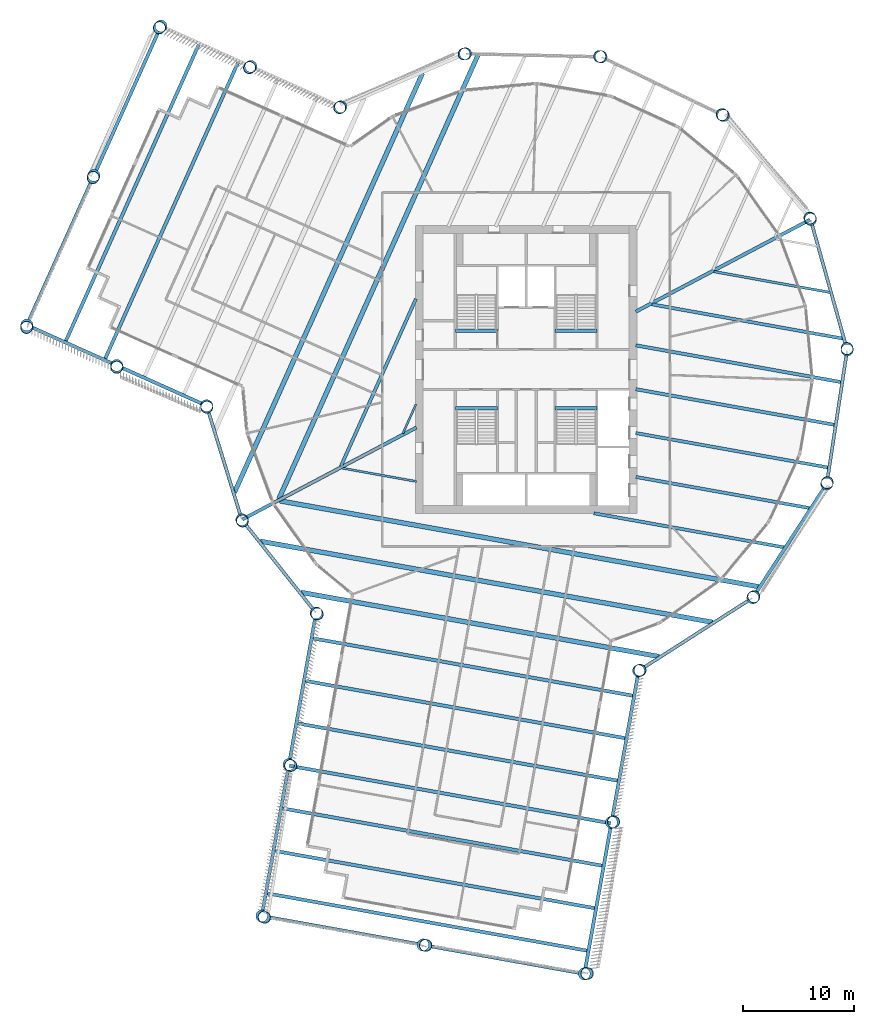
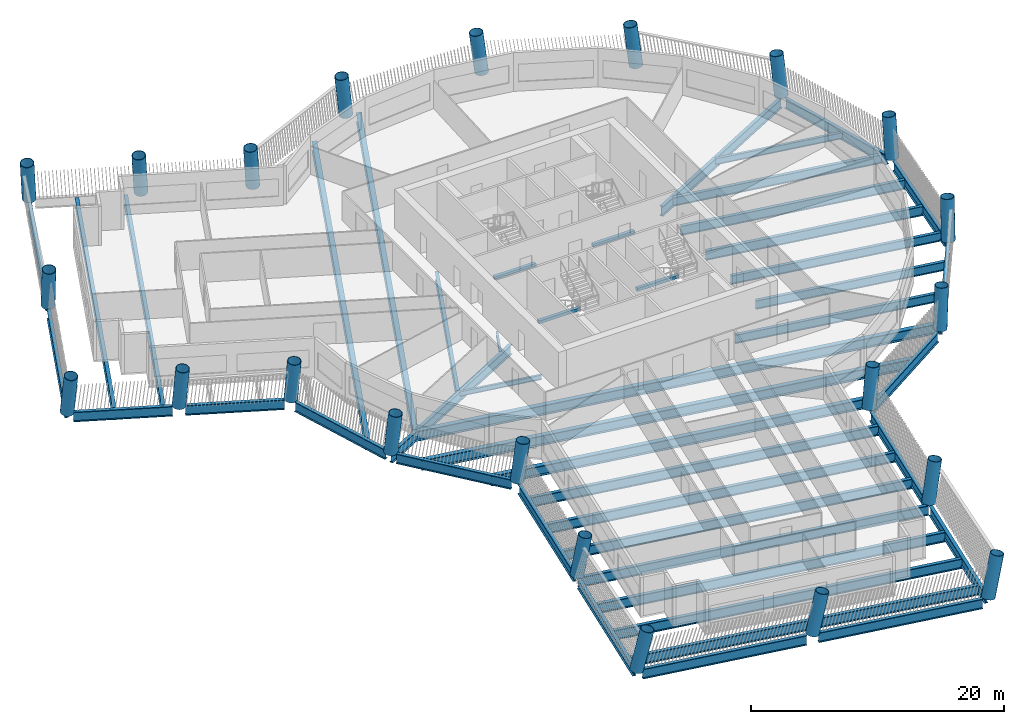
# One storey, part 1 of 14: 46 beams, 22 columns.
"""IFC4 building model written with IfcOpenShell, lengths in metres."""

from ifc_helpers import new_model, si_unit, direction, frame, origin, origin_2d, place, context, subcontext, project, spatial, rectangle, hollow_circle, i_section, extrude, material, material_profile, profile_set, type_object, element, save


model = new_model("IFC4")

# Units and contexts
model_context = context("Model", 3, precision=1e-05, world=origin(), true_north=direction((0.0, 1.0)))
body_context = subcontext(model_context, "Body", "Model", "MODEL_VIEW")
ifc_project = project(units=[si_unit("LENGTHUNIT", "METRE"), si_unit("AREAUNIT", "SQUARE_METRE"), si_unit("VOLUMEUNIT", "CUBIC_METRE"), si_unit("PLANEANGLEUNIT", "RADIAN"), si_unit("MASSUNIT", "GRAM", prefix="KILO")], contexts=[model_context])

# Site, building, storey
site_placement = place(None, origin())
site = spatial("IfcSite", under=ifc_project, at=site_placement, CompositionType="ELEMENT")
building_placement = place(site_placement, origin())
building = spatial("IfcBuilding", under=site, at=building_placement, Name="Tarsis Ring Headquarters", CompositionType="ELEMENT")
storey_placement = place(building_placement, frame((0.0, 0.0, 182.699951171875)))
storey = spatial("IfcBuildingStorey", under=building, at=storey_placement, Name="L42", CompositionType="ELEMENT", Elevation=182.699951171875)

# Columns
ifc_material_1 = material(Name="Structural steel S355", Category="steel")
ifc_material_profile_1 = material_profile(ifc_material_1, hollow_circle(Radius=0.558837890625, WallThickness=0.044921875, at=origin_2d()), Name="CHS 1118x45")
ifc_profile_set_1 = profile_set([ifc_material_profile_1], Name="Structural steel S355")
column_type = type_object("IfcColumnType", Name="XC Exo column CHS 1118x45", PredefinedType="COLUMN", material=ifc_profile_set_1)
for number, where, z_axis, x_axis, name in (
    (1, (-25.686279296875, -13.56591796875, 0.0009765625), (0.055054775262, -0.102333452324, 0.993225471007), (0.880642941898, 0.473780549289, 0.0), "Exo column XC4 F1"),
    (2, (-18.97705078125, -21.992919921875, 0.0009765625), (0.088585275223, -0.075210391675, 0.993225073182), (0.647213213702, 0.762309029207, 0.0), "Exo column XC4 AK"),
):
    element("IfcColumn", number, at=place(storey_placement, frame(where, z_axis=z_axis, x_axis=x_axis)), inside=storey, type_object=column_type, Name=name, PredefinedType="COLUMN", context=body_context, shape_type="SweptSolid", body=[
        extrude(hollow_circle(Radius=0.558837890625, WallThickness=0.044921875, at=origin_2d()), origin(), (0.0, 0.0, 1.0), 3.924560546875),
    ])
column_1_placement = place(storey_placement, frame((-21.42919921875, -35.67724609375, 0.00146484375), z_axis=(0.142408812756, -0.084024288655, 0.986235088083), x_axis=(0.508162720271, 0.861261081047, 0.0)))
element("IfcColumn", 3, at=column_1_placement, inside=storey, type_object=column_type, Name="Exo column XC4 AI1", PredefinedType="COLUMN", context=body_context, shape_type="SweptSolid", body=[
    extrude(hollow_circle(Radius=0.558837890625, WallThickness=0.044921875, at=origin_2d()), origin(), (0.0, 0.0, 1.0), 3.95166015625),
])
column_2_placement = place(storey_placement, frame((-23.88134765625, -49.361572265625, 0.001708984375), z_axis=(0.194853950224, -0.092379737783, 0.976472181954), x_axis=(0.428391204593, 0.903593368628, 0.0)))
element("IfcColumn", 4, at=column_2_placement, inside=storey, type_object=column_type, Name="Exo column XC4 AT1", PredefinedType="COLUMN", context=body_context, shape_type="SweptSolid", body=[
    extrude(hollow_circle(Radius=0.558837890625, WallThickness=0.044921875, at=origin_2d()), origin(), (0.0, 0.0, 1.0), 3.99072265625),
])
column_3_placement = place(storey_placement, frame((-9.3134765625, -51.97216796875, 0.001708984375), z_axis=(0.205049909113, -0.03505336163, 0.978123610088), x_axis=(0.168505908006, 0.985700643688, 0.0)))
element("IfcColumn", 5, at=column_3_placement, inside=storey, type_object=column_type, Name="Exo column XC4 AT2", PredefinedType="COLUMN", context=body_context, shape_type="SweptSolid", body=[
    extrude(hollow_circle(Radius=0.558837890625, WallThickness=0.044921875, at=origin_2d()), origin(), (0.0, 0.0, 1.0), 3.98388671875),
])
column_4_placement = place(storey_placement, frame((5.25439453125, -54.582763671875, 0.001708984375), z_axis=(0.214549985374, 0.022391016438, 0.976456320661), x_axis=(-0.103798966947, 0.994598298038, 0.0)))
element("IfcColumn", 6, at=column_4_placement, inside=storey, type_object=column_type, Name="Exo column XC4 AT3", PredefinedType="COLUMN", context=body_context, shape_type="SweptSolid", body=[
    extrude(hollow_circle(Radius=0.558837890625, WallThickness=0.044921875, at=origin_2d()), origin(), (0.0, 0.0, 1.0), 3.99072265625),
])
column_5_placement = place(storey_placement, frame((7.70654296875, -40.8984375, 0.00146484375), z_axis=(0.162241168836, 0.031879833633, 0.986236016044), x_axis=(-0.192809550064, 0.98123619858, 0.0)))
element("IfcColumn", 7, at=column_5_placement, inside=storey, type_object=column_type, Name="Exo column XC4 AO1", PredefinedType="COLUMN", context=body_context, shape_type="SweptSolid", body=[
    extrude(hollow_circle(Radius=0.558837890625, WallThickness=0.044921875, at=origin_2d()), origin(), (0.0, 0.0, 1.0), 3.95166015625),
])
for number, where, z_axis, x_axis, name in (
    (8, (10.158935546875, -27.214111328125, 0.0009765625), (0.108554191413, 0.041493206689, 0.993224194895), (-0.357041313394, 0.934088593512, 0.0), "Exo column XC4 AJ"),
    (9, (20.47314453125, -20.607421875, 0.0009765625), (0.081804409981, 0.082550914102, 0.993223733651), (-0.71031114304, 0.703887832025, 0.0), "Exo column XC4 R1"),
    (10, (27.147216796875, -10.33642578125, 0.0009765625), (0.040498150522, 0.108865996028, 0.993231138614), (-0.937250343901, 0.348657127931, 0.0), "Exo column XC4 R2"),
    (11, (28.994384765625, 1.772216796875, 0.0009765625), (-0.008024904042, 0.115956752982, 0.99322184448), (-0.997613832138, -0.06904087143, 0.0), "Exo column XC4 R3"),
    (12, (25.686279296875, 13.56591796875, 0.0009765625), (-0.055054775262, 0.102333452324, 0.993225471007), (-0.880642941898, -0.473780549289, 0.0), "Exo column XC4 R4"),
    (13, (17.81103515625, 22.947509765625, 0.0009765625), (-0.092379701458, 0.070544499295, 0.99322175992), (-0.606913603362, -0.794767813927, 0.0), "Exo column XC4 R5"),
    (14, (6.768798828125, 28.248779296875, 0.0009765625), (-0.113219904146, 0.026189878926, 0.993224719561), (-0.225367724869, -0.974273774967, 0.0), "Exo column XC4 R6"),
    (15, (-5.476806640625, 28.527587890625, 0.0009765625), (-0.113966128507, -0.022830550853, 0.993222274972), (0.196424904871, -0.980518871183, 0.0), "Exo column XC4 R7"),
    (16, (-16.748779296875, 23.73388671875, 0.0009765625), (-0.094432754742, -0.067745237097, 0.993223558763), (0.582907875452, -0.81253825063, 0.0), "Exo column XC4 BJ"),
):
    element("IfcColumn", number, at=place(storey_placement, frame(where, z_axis=z_axis, x_axis=x_axis)), inside=storey, type_object=column_type, Name=name, PredefinedType="COLUMN", context=body_context, shape_type="SweptSolid", body=[
        extrude(hollow_circle(Radius=0.558837890625, WallThickness=0.044921875, at=origin_2d()), origin(), (0.0, 0.0, 1.0), 3.924560546875),
    ])
column_6_placement = place(storey_placement, frame((-24.871337890625, 27.37744140625, 0.001220703125), z_axis=(-0.108233042116, -0.099931251822, 0.989090164497), x_axis=(0.678367435218, -0.734722820413, 0.0)))
element("IfcColumn", 17, at=column_6_placement, inside=storey, type_object=column_type, Name="Exo column XC4 BO1", PredefinedType="COLUMN", context=body_context, shape_type="SweptSolid", body=[
    extrude(hollow_circle(Radius=0.558837890625, WallThickness=0.044921875, at=origin_2d()), origin(), (0.0, 0.0, 1.0), 3.940673828125),
])
column_7_placement = place(storey_placement, frame((-32.99365234375, 31.020751953125, 0.00146484375), z_axis=(-0.121900971755, -0.13163825868, 0.9837741214), x_axis=(0.73372261861, -0.679449129031, 0.0)))
element("IfcColumn", 18, at=column_7_placement, inside=storey, type_object=column_type, Name="Exo column XC4 BT3", PredefinedType="COLUMN", context=body_context, shape_type="SweptSolid", body=[
    extrude(hollow_circle(Radius=0.558837890625, WallThickness=0.044921875, at=origin_2d()), origin(), (0.0, 0.0, 1.0), 3.96142578125),
])
column_8_placement = place(storey_placement, frame((-39.051025390625, 17.517333984375, 0.00146484375), z_axis=(-0.068339424626, -0.155569421912, 0.985458207134), x_axis=(0.915555942631, -0.402190646227, 0.0)))
element("IfcColumn", 19, at=column_8_placement, inside=storey, type_object=column_type, Name="Exo column XC4 BT2", PredefinedType="COLUMN", context=body_context, shape_type="SweptSolid", body=[
    extrude(hollow_circle(Radius=0.558837890625, WallThickness=0.044921875, at=origin_2d()), origin(), (0.0, 0.0, 1.0), 3.954833984375),
])
column_9_placement = place(storey_placement, frame((-45.1083984375, 4.013671875, 0.00146484375), z_axis=(-0.014482622738, -0.178844983768, 0.983770667086), x_axis=(0.996737268182, -0.080714423853, 0.0)))
element("IfcColumn", 20, at=column_9_placement, inside=storey, type_object=column_type, Name="Exo column XC4 BT1", PredefinedType="COLUMN", context=body_context, shape_type="SweptSolid", body=[
    extrude(hollow_circle(Radius=0.558837890625, WallThickness=0.044921875, at=origin_2d()), origin(), (0.0, 0.0, 1.0), 3.96142578125),
])
column_10_placement = place(storey_placement, frame((-36.98583984375, 0.3701171875, 0.001220703125), z_axis=(-0.000371721139, -0.147325478003, 0.98908799677), x_axis=(0.999996816926, -0.002523120648, 0.0)))
element("IfcColumn", 21, at=column_10_placement, inside=storey, type_object=column_type, Name="Exo column XC4 BI1", PredefinedType="COLUMN", context=body_context, shape_type="SweptSolid", body=[
    extrude(hollow_circle(Radius=0.558837890625, WallThickness=0.044921875, at=origin_2d()), origin(), (0.0, 0.0, 1.0), 3.940673828125),
])
column_11_placement = place(storey_placement, frame((-28.863525390625, -3.2734375, 0.0009765625), z_axis=(0.013997012214, -0.115335380646, 0.993227986728), x_axis=(0.992716327217, 0.120475282429, 0.0)))
element("IfcColumn", 22, at=column_11_placement, inside=storey, type_object=column_type, Name="Exo column XC4 BK", PredefinedType="COLUMN", context=body_context, shape_type="SweptSolid", body=[
    extrude(hollow_circle(Radius=0.558837890625, WallThickness=0.044921875, at=origin_2d()), origin(), (0.0, 0.0, 1.0), 3.924560546875),
])

# Beams
ifc_material_profile_2 = material_profile(ifc_material_1, i_section(OverallWidth=0.177734375, OverallDepth=0.406494140625, WebThickness=0.0078125, FlangeThickness=0.0126953125, at=origin_2d()), Name="W16x40")
ifc_profile_set_2 = profile_set([ifc_material_profile_2], Name="Structural steel S355")
beam_type_1 = type_object("IfcBeamType", Name="FB Floor beam W16x40", PredefinedType="JOIST", material=ifc_profile_set_2)
beam_1_placement = place(storey_placement, frame((-9.958984375, -3.143798828125, -0.363037109375), z_axis=(-0.40931322539, -0.912393930011, 0.0), x_axis=(0.912393930011, -0.40931322539, 0.0)))
element("IfcBeam", 23, at=beam_1_placement, inside=storey, type_object=beam_type_1, Name="Floor beam FB1", PredefinedType="JOIST", context=body_context, shape_type="SweptSolid", body=[
    extrude(i_section(OverallWidth=0.177734375, OverallDepth=0.406494140625, WebThickness=0.0078125, FlangeThickness=0.0126953125, at=origin_2d()), origin(), (0.0, 0.0, 1.0), 2.887451171875),
])
ifc_material_profile_3 = material_profile(ifc_material_1, i_section(OverallWidth=0.1904296875, OverallDepth=0.457275390625, WebThickness=0.009033203125, FlangeThickness=0.014404296875, at=origin_2d()), Name="W18x50")
ifc_profile_set_3 = profile_set([ifc_material_profile_3], Name="Structural steel S355")
beam_type_2 = type_object("IfcBeamType", Name="FB Floor beam W18x50", PredefinedType="JOIST", material=ifc_profile_set_3)
beam_2_placement = place(storey_placement, frame((-16.655029296875, -8.901611328125, -0.388671875), z_axis=(0.984314331278, -0.176423630051, 0.0), x_axis=(0.176423630051, 0.984314331278, 0.0)))
element("IfcBeam", 24, at=beam_2_placement, inside=storey, type_object=beam_type_2, Name="Floor beam FB2", PredefinedType="JOIST", context=body_context, shape_type="SweptSolid", body=[
    extrude(i_section(OverallWidth=0.1904296875, OverallDepth=0.457275390625, WebThickness=0.009033203125, FlangeThickness=0.014404296875, at=origin_2d()), origin(), (0.0, 0.0, 1.0), 6.861083984375),
])
ifc_material_profile_4 = material_profile(ifc_material_1, i_section(OverallWidth=0.228271484375, OverallDepth=0.607177734375, WebThickness=0.01123046875, FlangeThickness=0.017333984375, at=origin_2d()), Name="W24x76")
ifc_profile_set_4 = profile_set([ifc_material_profile_4], Name="Structural steel S355")
beam_type_3 = type_object("IfcBeamType", Name="FB Floor beam W24x76", PredefinedType="JOIST", material=ifc_profile_set_4)
beam_3_placement = place(storey_placement, frame((16.95361328125, 8.84814453125, -0.463623046875), z_axis=(0.9843186464, -0.176399553141, 0.0), x_axis=(0.176399553141, 0.9843186464, 0.0)))
element("IfcBeam", 25, at=beam_3_placement, inside=storey, type_object=beam_type_3, Name="Floor beam FB4", PredefinedType="JOIST", context=body_context, shape_type="SweptSolid", body=[
    extrude(i_section(OverallWidth=0.228271484375, OverallDepth=0.607177734375, WebThickness=0.01123046875, FlangeThickness=0.017333984375, at=origin_2d()), origin(), (0.0, 0.0, 1.0), 10.6845703125),
])
ifc_material_profile_5 = material_profile(ifc_material_1, i_section(OverallWidth=0.2919921875, OverallDepth=0.835693359375, WebThickness=0.013916015625, FlangeThickness=0.018798828125, at=origin_2d()), Name="W33x118")
ifc_profile_set_5 = profile_set([ifc_material_profile_5], Name="Structural steel S355")
beam_type_4 = type_object("IfcBeamType", Name="FB Floor beam W33x118", PredefinedType="JOIST", material=ifc_profile_set_5)
beam_4_placement = place(storey_placement, frame((11.352294921875, 5.889892578125, -0.577880859375), z_axis=(0.98431802462, -0.176403022671, 0.0), x_axis=(0.176403022671, 0.98431802462, 0.0)))
element("IfcBeam", 26, at=beam_4_placement, inside=storey, type_object=beam_type_4, Name="Floor beam FB7", PredefinedType="JOIST", context=body_context, shape_type="SweptSolid", body=[
    extrude(i_section(OverallWidth=0.2919921875, OverallDepth=0.835693359375, WebThickness=0.013916015625, FlangeThickness=0.018798828125, at=origin_2d()), origin(), (0.0, 0.0, 1.0), 17.564208984375),
])
beam_5_placement = place(storey_placement, frame((9.901611328125, -5.736572265625, -0.577880859375), z_axis=(0.984318052838, -0.176402865218, 0.0), x_axis=(0.176402865218, 0.984318052838, 0.0)))
element("IfcBeam", 27, at=beam_5_placement, inside=storey, type_object=beam_type_4, Name="Floor beam FB7", PredefinedType="JOIST", context=body_context, shape_type="SweptSolid", body=[
    extrude(i_section(OverallWidth=0.2919921875, OverallDepth=0.835693359375, WebThickness=0.013916015625, FlangeThickness=0.018798828125, at=origin_2d()), origin(), (0.0, 0.0, 1.0), 17.69287109375),
])
beam_6_placement = place(storey_placement, frame((9.901611328125, -9.69873046875, -0.577880859375), z_axis=(0.984318380983, -0.176401034176, 0.0), x_axis=(0.176401034176, 0.984318380983, 0.0)))
element("IfcBeam", 28, at=beam_6_placement, inside=storey, type_object=beam_type_4, Name="Floor beam FB7", PredefinedType="JOIST", context=body_context, shape_type="SweptSolid", body=[
    extrude(i_section(OverallWidth=0.2919921875, OverallDepth=0.835693359375, WebThickness=0.013916015625, FlangeThickness=0.018798828125, at=origin_2d()), origin(), (0.0, 0.0, 1.0), 16.001953125),
])
beam_7_placement = place(storey_placement, frame((6.11572265625, -12.982421875, -0.577880859375), z_axis=(0.984318865412, -0.176398331039, 0.0), x_axis=(0.176398331039, 0.984318865412, 0.0)))
element("IfcBeam", 29, at=beam_7_placement, inside=storey, type_object=beam_type_4, Name="Floor beam FB7", PredefinedType="JOIST", context=body_context, shape_type="SweptSolid", body=[
    extrude(i_section(OverallWidth=0.2919921875, OverallDepth=0.835693359375, WebThickness=0.013916015625, FlangeThickness=0.018798828125, at=origin_2d()), origin(), (0.0, 0.0, 1.0), 17.505126953125),
])
beam_8_placement = place(storey_placement, frame((-9.958984375, 6.385009765625, -0.577880859375), z_axis=(-0.409285140008, -0.912406529004, 0.0), x_axis=(0.912406529004, -0.409285140008, 0.0)))
element("IfcBeam", 30, at=beam_8_placement, inside=storey, type_object=beam_type_4, Name="Floor beam FB7", PredefinedType="JOIST", context=body_context, shape_type="SweptSolid", body=[
    extrude(i_section(OverallWidth=0.2919921875, OverallDepth=0.835693359375, WebThickness=0.013916015625, FlangeThickness=0.018798828125, at=origin_2d()), origin(), (0.0, 0.0, 1.0), 16.5732421875),
])
ifc_material_profile_6 = material_profile(ifc_material_1, i_section(OverallWidth=0.3046875, OverallDepth=0.904296875, WebThickness=0.01513671875, FlangeThickness=0.02001953125, at=origin_2d()), Name="W36x135")
ifc_profile_set_6 = profile_set([ifc_material_profile_6], Name="Structural steel S355")
beam_type_5 = type_object("IfcBeamType", Name="FB Floor beam W36x135", PredefinedType="JOIST", material=ifc_profile_set_6)
beam_9_placement = place(storey_placement, frame((9.901611328125, 2.187744140625, -0.612060546875), z_axis=(0.984317621931, -0.176405269639, 0.0), x_axis=(0.176405269639, 0.984317621931, 0.0)))
element("IfcBeam", 31, at=beam_9_placement, inside=storey, type_object=beam_type_5, Name="Floor beam FB8", PredefinedType="JOIST", context=body_context, shape_type="SweptSolid", body=[
    extrude(i_section(OverallWidth=0.3046875, OverallDepth=0.904296875, WebThickness=0.01513671875, FlangeThickness=0.02001953125, at=origin_2d()), origin(), (0.0, 0.0, 1.0), 18.888427734375),
])
beam_10_placement = place(storey_placement, frame((9.901611328125, -1.7744140625, -0.612060546875), z_axis=(0.984317830344, -0.176404106718, 0.0), x_axis=(0.176404106718, 0.984317830344, 0.0)))
element("IfcBeam", 32, at=beam_10_placement, inside=storey, type_object=beam_type_5, Name="Floor beam FB8", PredefinedType="JOIST", context=body_context, shape_type="SweptSolid", body=[
    extrude(i_section(OverallWidth=0.3046875, OverallDepth=0.904296875, WebThickness=0.01513671875, FlangeThickness=0.02001953125, at=origin_2d()), origin(), (0.0, 0.0, 1.0), 18.290771484375),
])
ifc_material_profile_7 = material_profile(ifc_material_1, i_section(OverallWidth=0.309814453125, OverallDepth=0.949951171875, WebThickness=0.0244140625, FlangeThickness=0.0439453125, at=origin_2d()), Name="W36x256")
ifc_profile_set_7 = profile_set([ifc_material_profile_7], Name="Structural steel S355")
beam_type_6 = type_object("IfcBeamType", Name="FB Floor beam W36x256", PredefinedType="JOIST", material=ifc_profile_set_7)
beam_11_placement = place(storey_placement, frame((-19.32958984375, -24.27099609375, -0.635009765625), z_axis=(0.984319634566, -0.176394039039, 0.0), x_axis=(0.176394039039, 0.984319634566, 0.0)))
element("IfcBeam", 33, at=beam_11_placement, inside=storey, type_object=beam_type_6, Name="Floor beam FB11", PredefinedType="JOIST", context=body_context, shape_type="SweptSolid", body=[
    extrude(i_section(OverallWidth=0.309814453125, OverallDepth=0.949951171875, WebThickness=0.0244140625, FlangeThickness=0.0439453125, at=origin_2d()), origin(), (0.0, 0.0, 1.0), 29.490234375),
])
for number, where, z_axis, x_axis, name in (
    (34, (-20.017333984375, -28.10986328125, -0.635009765625), (0.984319376972, -0.176395476464, 0.0), (0.176395476464, 0.984319376972, 0.0), "Floor beam FB11"),
    (35, (-20.705322265625, -31.948486328125, -0.635009765625), (0.984317939505, -0.176403497607, 0.0), (0.176403497607, 0.984317939505, 0.0), "Floor beam FB11"),
    (36, (-21.393310546875, -35.787353515625, -0.635009765625), (0.984317939505, -0.176403497607, 0.0), (0.176403497607, 0.984317939505, 0.0), "Floor beam FB11"),
    (37, (-22.081298828125, -39.626220703125, -0.635009765625), (0.984317939505, -0.176403497607, 0.0), (0.176403497607, 0.984317939505, 0.0), "Floor beam FB11"),
):
    element("IfcBeam", number, at=place(storey_placement, frame(where, z_axis=z_axis, x_axis=x_axis)), inside=storey, type_object=beam_type_6, Name=name, PredefinedType="JOIST", context=body_context, shape_type="SweptSolid", body=[
        extrude(i_section(OverallWidth=0.309814453125, OverallDepth=0.949951171875, WebThickness=0.0244140625, FlangeThickness=0.0439453125, at=origin_2d()), origin(), (0.0, 0.0, 1.0), 29.489990234375),
    ])
for number, where, z_axis, x_axis, name in (
    (38, (-22.769287109375, -43.465087890625, -0.635009765625), (0.984318197122, -0.176402060121, 0.0), (0.176402060121, 0.984318197122, 0.0), "Floor beam FB11"),
    (39, (-23.457275390625, -47.303955078125, -0.635009765625), (0.984319634566, -0.176394039039, 0.0), (0.176394039039, 0.984319634566, 0.0), "Floor beam FB11"),
):
    element("IfcBeam", number, at=place(storey_placement, frame(where, z_axis=z_axis, x_axis=x_axis)), inside=storey, type_object=beam_type_6, Name=name, PredefinedType="JOIST", context=body_context, shape_type="SweptSolid", body=[
        extrude(i_section(OverallWidth=0.309814453125, OverallDepth=0.949951171875, WebThickness=0.0244140625, FlangeThickness=0.0439453125, at=origin_2d()), origin(), (0.0, 0.0, 1.0), 29.490234375),
    ])
for number, where, z_axis, x_axis, name in (
    (40, (-25.990478515625, 27.8193359375, -0.635009765625), (-0.409283851486, -0.912407107005, 0.0), (0.912407107005, -0.409283851486, 0.0), "Floor beam FB11"),
    (41, (-29.548828125, 29.41552734375, -0.635009765625), (-0.409293834991, -0.912402628579, 0.0), (0.912402628579, -0.409293834991, 0.0), "Floor beam FB11"),
):
    element("IfcBeam", number, at=place(storey_placement, frame(where, z_axis=z_axis, x_axis=x_axis)), inside=storey, type_object=beam_type_6, Name=name, PredefinedType="JOIST", context=body_context, shape_type="SweptSolid", body=[
        extrude(i_section(OverallWidth=0.309814453125, OverallDepth=0.949951171875, WebThickness=0.0244140625, FlangeThickness=0.0439453125, at=origin_2d()), origin(), (0.0, 0.0, 1.0), 29.489990234375),
    ])
beam_type_7 = type_object("IfcBeamType", Name="FB Floor beam W36x256 spine", PredefinedType="BEAM", material=ifc_profile_set_7)
beam_12_placement = place(storey_placement, frame((-9.91162109375, -5.234619140625, -0.635009765625), z_axis=(-0.884254363927, -0.4670055887, 0.0), x_axis=(0.4670055887, -0.884254363927, 0.0)))
element("IfcBeam", 42, at=beam_12_placement, inside=storey, type_object=beam_type_7, Name="Floor beam SB11", PredefinedType="BEAM", context=body_context, shape_type="SweptSolid", body=[
    extrude(i_section(OverallWidth=0.309814453125, OverallDepth=0.949951171875, WebThickness=0.0244140625, FlangeThickness=0.0439453125, at=origin_2d()), origin(), (0.0, 0.0, 1.0), 17.78173828125),
])
beam_13_placement = place(storey_placement, frame((25.634521484375, 13.538330078125, -0.635009765625), z_axis=(-0.884256720352, -0.467001126886, 0.0), x_axis=(0.467001126886, -0.884256720352, 0.0)))
element("IfcBeam", 43, at=beam_13_placement, inside=storey, type_object=beam_type_7, Name="Floor beam SB11", PredefinedType="BEAM", context=body_context, shape_type="SweptSolid", body=[
    extrude(i_section(OverallWidth=0.309814453125, OverallDepth=0.949951171875, WebThickness=0.0244140625, FlangeThickness=0.0439453125, at=origin_2d()), origin(), (0.0, 0.0, 1.0), 17.781005859375),
])
ifc_material_profile_8 = material_profile(ifc_material_1, i_section(OverallWidth=0.42431640625, OverallDepth=0.947509765625, WebThickness=0.02392578125, FlangeThickness=0.042724609375, at=origin_2d()), Name="W36x302")
ifc_profile_set_8 = profile_set([ifc_material_profile_8], Name="Structural steel S355")
beam_type_8 = type_object("IfcBeamType", Name="FB Floor beam W36x302", PredefinedType="JOIST", material=ifc_profile_set_8)
beam_14_placement = place(storey_placement, frame((-22.256591796875, -11.860107421875, -0.633544921875), z_axis=(0.984319574401, -0.176394374773, 0.0), x_axis=(0.176394374773, 0.984319574401, 0.0)))
element("IfcBeam", 44, at=beam_14_placement, inside=storey, type_object=beam_type_8, Name="Floor beam FB12", PredefinedType="JOIST", context=body_context, shape_type="SweptSolid", body=[
    extrude(i_section(OverallWidth=0.42431640625, OverallDepth=0.947509765625, WebThickness=0.02392578125, FlangeThickness=0.042724609375, at=origin_2d()), origin(), (0.0, 0.0, 1.0), 43.98681640625),
])
beam_15_placement = place(storey_placement, frame((-24.029052734375, -15.50439453125, -0.633544921875), z_axis=(0.984318881584, -0.1763982408, 0.0), x_axis=(0.1763982408, 0.984318881584, 0.0)))
element("IfcBeam", 45, at=beam_15_placement, inside=storey, type_object=beam_type_8, Name="Floor beam FB12", PredefinedType="JOIST", context=body_context, shape_type="SweptSolid", body=[
    extrude(i_section(OverallWidth=0.42431640625, OverallDepth=0.947509765625, WebThickness=0.02392578125, FlangeThickness=0.042724609375, at=origin_2d()), origin(), (0.0, 0.0, 1.0), 41.523681640625),
])
beam_16_placement = place(storey_placement, frame((-20.349853515625, -20.1259765625, -0.633544921875), z_axis=(0.984319346401, -0.176395647059, 0.0), x_axis=(0.176395647059, 0.984319346401, 0.0)))
element("IfcBeam", 46, at=beam_16_placement, inside=storey, type_object=beam_type_8, Name="Floor beam FB12", PredefinedType="JOIST", context=body_context, shape_type="SweptSolid", body=[
    extrude(i_section(OverallWidth=0.42431640625, OverallDepth=0.947509765625, WebThickness=0.02392578125, FlangeThickness=0.042724609375, at=origin_2d()), origin(), (0.0, 0.0, 1.0), 32.87548828125),
])
beam_17_placement = place(storey_placement, frame((-4.340576171875, 28.43896484375, -0.633544921875), z_axis=(-0.409286174409, -0.912406064994, 0.0), x_axis=(0.912406064994, -0.409286174409, 0.0)))
element("IfcBeam", 47, at=beam_17_placement, inside=storey, type_object=beam_type_8, Name="Floor beam FB12", PredefinedType="JOIST", context=body_context, shape_type="SweptSolid", body=[
    extrude(i_section(OverallWidth=0.42431640625, OverallDepth=0.947509765625, WebThickness=0.02392578125, FlangeThickness=0.042724609375, at=origin_2d()), origin(), (0.0, 0.0, 1.0), 43.98681640625),
])
beam_18_placement = place(storey_placement, frame((-9.358154296875, 26.782470703125, -0.633544921875), z_axis=(-0.409282109081, -0.912407888603, 0.0), x_axis=(0.912407888603, -0.409282109081, 0.0)))
element("IfcBeam", 48, at=beam_18_placement, inside=storey, type_object=beam_type_8, Name="Floor beam FB12", PredefinedType="JOIST", context=body_context, shape_type="SweptSolid", body=[
    extrude(i_section(OverallWidth=0.42431640625, OverallDepth=0.947509765625, WebThickness=0.02392578125, FlangeThickness=0.042724609375, at=origin_2d()), origin(), (0.0, 0.0, 1.0), 41.523681640625),
])
ifc_material_2 = material(Name="Concrete C40/50", Category="concrete")
ifc_material_profile_9 = material_profile(ifc_material_2, rectangle(XDim=0.300048828125, YDim=0.300048828125, at=origin_2d()), Name="Stair head beam 300x300 C40/50")
ifc_profile_set_9 = profile_set([ifc_material_profile_9], Name="Concrete C40/50")
beam_type_9 = type_object("IfcBeamType", Name="Stair head beam 300x300 C40/50", PredefinedType="BEAM", material=ifc_profile_set_9)
for number, where, z_axis, x_axis, name in (
    (49, (-6.39990234375, 3.510009765625, -0.31005859375), (1.0, 0.0, 0.0), (0.0, 1.0, 0.0), "Stair head beam L42 Firefighting stair"),
    (50, (2.60009765625, 3.510009765625, -0.31005859375), (1.0, 0.0, 0.0), (0.0, 1.0, 0.0), "Stair head beam L42 Exit stair B"),
    (51, (-6.39990234375, -3.510009765625, -0.31005859375), (1.0, 0.0, 0.0), (0.0, 1.0, 0.0), "Stair head beam L42 Exit stair C"),
    (52, (2.60009765625, -3.510009765625, -0.31005859375), (1.0, 0.0, 0.0), (0.0, 1.0, 0.0), "Stair head beam L42 Exit stair D"),
):
    element("IfcBeam", number, at=place(storey_placement, frame(where, z_axis=z_axis, x_axis=x_axis)), inside=storey, type_object=beam_type_9, Name=name, PredefinedType="BEAM", context=body_context, shape_type="SweptSolid", body=[
        extrude(rectangle(XDim=0.300048828125, YDim=0.300048828125, at=origin_2d()), origin(), (0.0, 0.0, 1.0), 3.7998046875),
    ])
beam_type_10 = type_object("IfcBeamType", Name="XG Ring girder W36x256", PredefinedType="BEAM", material=ifc_profile_set_7)
beam_19_placement = place(storey_placement, frame((-25.373046875, -13.959228515625, -0.474853515625), z_axis=(0.622861051767, -0.782332480594, 0.0), x_axis=(0.782332480594, 0.622861051767, 0.0)))
element("IfcBeam", 53, at=beam_19_placement, inside=storey, type_object=beam_type_10, Name="Ring girder XG2", PredefinedType="BEAM", context=body_context, shape_type="SweptSolid", body=[
    extrude(i_section(OverallWidth=0.309814453125, OverallDepth=0.949951171875, WebThickness=0.0244140625, FlangeThickness=0.0439453125, at=origin_2d()), origin(), (0.0, 0.0, 1.0), 9.765869140625),
])
for number, where, z_axis, x_axis, name in (
    (54, (-19.065673828125, -22.488037109375, -0.474853515625), (-0.176399299373, -0.984318691878, 0.0), (0.984318691878, -0.176399299373, 0.0), "Ring girder XG2"),
    (55, (-21.51806640625, -36.172119140625, -0.474853515625), (-0.176399299373, -0.984318691878, 0.0), (0.984318691878, -0.176399299373, 0.0), "Ring girder XG2"),
):
    element("IfcBeam", number, at=place(storey_placement, frame(where, z_axis=z_axis, x_axis=x_axis)), inside=storey, type_object=beam_type_10, Name=name, PredefinedType="BEAM", context=body_context, shape_type="SweptSolid", body=[
        extrude(i_section(OverallWidth=0.309814453125, OverallDepth=0.949951171875, WebThickness=0.0244140625, FlangeThickness=0.0439453125, at=origin_2d()), origin(), (0.0, 0.0, 1.0), 12.896240234375),
    ])
for number, where, z_axis, x_axis, name in (
    (56, (-23.38671875, -49.449951171875, -0.474853515625), (0.984317888353, -0.17640378303, 0.0), (0.17640378303, 0.984317888353, 0.0), "Ring girder XG2"),
    (57, (-8.81884765625, -52.060791015625, -0.474853515625), (0.984320961385, -0.176386634921, 0.0), (0.176386634921, 0.984320961385, 0.0), "Ring girder XG2"),
):
    element("IfcBeam", number, at=place(storey_placement, frame(where, z_axis=z_axis, x_axis=x_axis)), inside=storey, type_object=beam_type_10, Name=name, PredefinedType="BEAM", context=body_context, shape_type="SweptSolid", body=[
        extrude(i_section(OverallWidth=0.309814453125, OverallDepth=0.949951171875, WebThickness=0.0244140625, FlangeThickness=0.0439453125, at=origin_2d()), origin(), (0.0, 0.0, 1.0), 13.794189453125),
    ])
beam_20_placement = place(storey_placement, frame((5.3427734375, -54.087646484375, -0.474853515625), z_axis=(0.176399299373, 0.984318691878, 0.0), x_axis=(-0.984318691878, 0.176399299373, 0.0)))
element("IfcBeam", 58, at=beam_20_placement, inside=storey, type_object=beam_type_10, Name="Ring girder XG2", PredefinedType="BEAM", context=body_context, shape_type="SweptSolid", body=[
    extrude(i_section(OverallWidth=0.309814453125, OverallDepth=0.949951171875, WebThickness=0.0244140625, FlangeThickness=0.0439453125, at=origin_2d()), origin(), (0.0, 0.0, 1.0), 12.896240234375),
])
beam_21_placement = place(storey_placement, frame((7.795166015625, -40.403564453125, -0.474853515625), z_axis=(0.17639601238, 0.984319280933, 0.0), x_axis=(-0.984319280933, 0.17639601238, 0.0)))
element("IfcBeam", 59, at=beam_21_placement, inside=storey, type_object=beam_type_10, Name="Ring girder XG2", PredefinedType="BEAM", context=body_context, shape_type="SweptSolid", body=[
    extrude(i_section(OverallWidth=0.309814453125, OverallDepth=0.949951171875, WebThickness=0.0244140625, FlangeThickness=0.0439453125, at=origin_2d()), origin(), (0.0, 0.0, 1.0), 12.896484375),
])
for number, where, z_axis, x_axis, name in (
    (60, (10.582275390625, -26.94287109375, -0.474853515625), (0.842063505241, 0.539378395138, 0.0), (-0.539378395138, 0.842063505241, 0.0), "Ring girder XG2"),
    (61, (20.7470703125, -20.185791015625, -0.474853515625), (0.544870039087, 0.838520506908, 0.0), (-0.838520506908, 0.544870039087, 0.0), "Ring girder XG2"),
):
    element("IfcBeam", number, at=place(storey_placement, frame(where, z_axis=z_axis, x_axis=x_axis)), inside=storey, type_object=beam_type_10, Name=name, PredefinedType="BEAM", context=body_context, shape_type="SweptSolid", body=[
        extrude(i_section(OverallWidth=0.309814453125, OverallDepth=0.949951171875, WebThickness=0.0244140625, FlangeThickness=0.0439453125, at=origin_2d()), origin(), (0.0, 0.0, 1.0), 11.242919921875),
    ])
beam_22_placement = place(storey_placement, frame((27.22314453125, -9.839599609375, -0.474853515625), z_axis=(0.150787559001, 0.98856619002, 0.0), x_axis=(-0.98856619002, 0.150787559001, 0.0)))
element("IfcBeam", 62, at=beam_22_placement, inside=storey, type_object=beam_type_10, Name="Ring girder XG2", PredefinedType="BEAM", context=body_context, shape_type="SweptSolid", body=[
    extrude(i_section(OverallWidth=0.309814453125, OverallDepth=0.949951171875, WebThickness=0.0244140625, FlangeThickness=0.0439453125, at=origin_2d()), origin(), (0.0, 0.0, 1.0), 11.2431640625),
])
beam_23_placement = place(storey_placement, frame((28.858642578125, 2.25634765625, -0.474853515625), z_axis=(-0.270088999124, 0.962835361083, 0.0), x_axis=(-0.962835361083, -0.270088999124, 0.0)))
element("IfcBeam", 63, at=beam_23_placement, inside=storey, type_object=beam_type_10, Name="Ring girder XG2", PredefinedType="BEAM", context=body_context, shape_type="SweptSolid", body=[
    extrude(i_section(OverallWidth=0.309814453125, OverallDepth=0.949951171875, WebThickness=0.0244140625, FlangeThickness=0.0439453125, at=origin_2d()), origin(), (0.0, 0.0, 1.0), 11.242919921875),
])
for number, where, z_axis, x_axis, name in (
    (64, (-33.199462890625, 30.562255859375, -0.474853515625), (-0.409284065254, -0.912407011113, 0.0), (0.912407011113, -0.409284065254, 0.0), "Ring girder XG2"),
    (65, (-39.2568359375, 17.05859375, -0.474853515625), (-0.409284065254, -0.912407011113, 0.0), (0.912407011113, -0.409284065254, 0.0), "Ring girder XG2"),
):
    element("IfcBeam", number, at=place(storey_placement, frame(where, z_axis=z_axis, x_axis=x_axis)), inside=storey, type_object=beam_type_10, Name=name, PredefinedType="BEAM", context=body_context, shape_type="SweptSolid", body=[
        extrude(i_section(OverallWidth=0.309814453125, OverallDepth=0.949951171875, WebThickness=0.0244140625, FlangeThickness=0.0439453125, at=origin_2d()), origin(), (0.0, 0.0, 1.0), 13.794189453125),
    ])
for number, where, z_axis, x_axis, name in (
    (66, (-44.649658203125, 3.80810546875, -0.474853515625), (0.912406227024, -0.4092858132, 0.0), (0.4092858132, 0.912406227024, 0.0), "Ring girder XG2"),
    (67, (-36.527099609375, 0.16455078125, -0.474853515625), (0.912406227024, -0.4092858132, 0.0), (0.4092858132, 0.912406227024, 0.0), "Ring girder XG2"),
):
    element("IfcBeam", number, at=place(storey_placement, frame(where, z_axis=z_axis, x_axis=x_axis)), inside=storey, type_object=beam_type_10, Name=name, PredefinedType="BEAM", context=body_context, shape_type="SweptSolid", body=[
        extrude(i_section(OverallWidth=0.309814453125, OverallDepth=0.949951171875, WebThickness=0.0244140625, FlangeThickness=0.0439453125, at=origin_2d()), origin(), (0.0, 0.0, 1.0), 7.896484375),
    ])
beam_24_placement = place(storey_placement, frame((-28.715087890625, -3.75390625, -0.474853515625), z_axis=(0.294946530251, -0.955513759343, 0.0), x_axis=(0.955513759343, 0.294946530251, 0.0)))
element("IfcBeam", 68, at=beam_24_placement, inside=storey, type_object=beam_type_10, Name="Ring girder XG2", PredefinedType="BEAM", context=body_context, shape_type="SweptSolid", body=[
    extrude(i_section(OverallWidth=0.309814453125, OverallDepth=0.949951171875, WebThickness=0.0244140625, FlangeThickness=0.0439453125, at=origin_2d()), origin(), (0.0, 0.0, 1.0), 9.765625),
])

save(model, "model.ifc")
